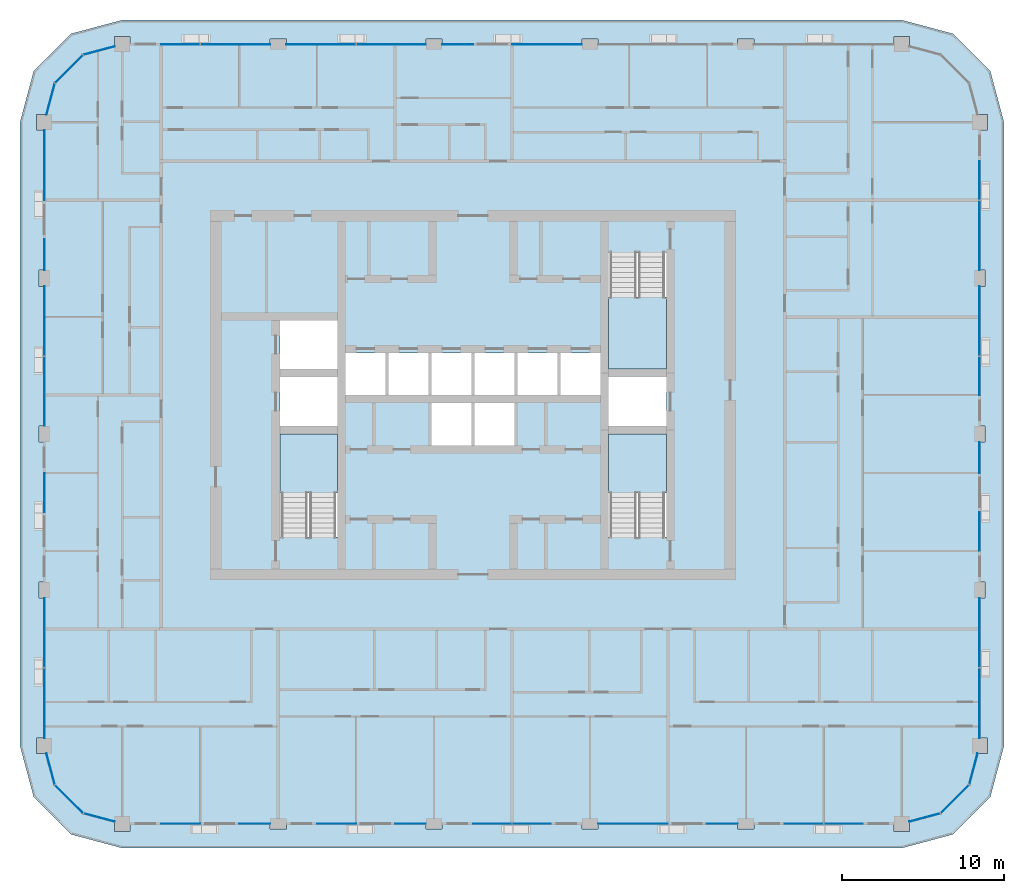
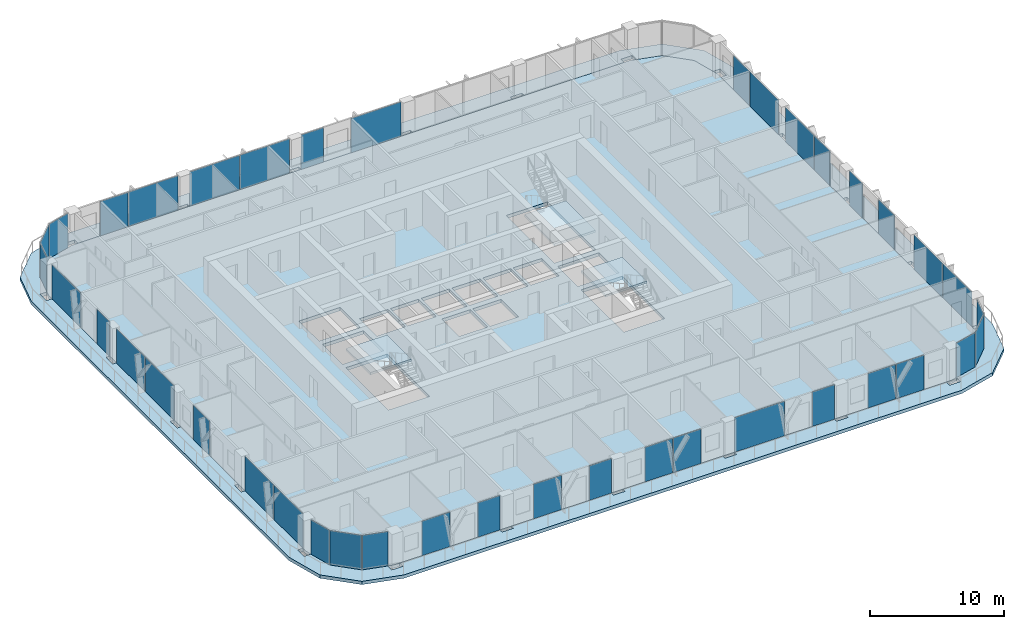
# One storey, part 7 of 22: 40 plates, 5 slabs, 22 elements without a shape of their own.
"""IFC4 building model written with IfcOpenShell, lengths in metres."""

from ifc_helpers import new_model, si_unit, direction, frame, origin, origin_2d, place, context, subcontext, project, spatial, polyline, rectangle, outline, extrude, material, layer, layer_set, type_object, element, aggregate, save


model = new_model("IFC4")

# Units and contexts
model_context = context("Model", 3, precision=1e-05, world=origin(), true_north=direction((0.0, 1.0)))
body_context = subcontext(model_context, "Body", "Model", "MODEL_VIEW")
ifc_project = project(units=[si_unit("LENGTHUNIT", "METRE"), si_unit("AREAUNIT", "SQUARE_METRE"), si_unit("VOLUMEUNIT", "CUBIC_METRE"), si_unit("PLANEANGLEUNIT", "RADIAN"), si_unit("MASSUNIT", "GRAM", prefix="KILO")], contexts=[model_context])

# Site, building, storey
site_placement = place(None, origin())
site = spatial("IfcSite", under=ifc_project, at=site_placement, CompositionType="ELEMENT")
building_placement = place(site_placement, origin())
building = spatial("IfcBuilding", under=site, at=building_placement, Name="Madar Terraces", CompositionType="ELEMENT")
storey_placement = place(building_placement, frame((0.0, 0.0, 178.89990234375)))
storey = spatial("IfcBuildingStorey", under=building, at=storey_placement, Name="L46", CompositionType="ELEMENT", Elevation=178.89990234375)

# Slabs
ifc_material_1 = material(Name="Concrete C50/60", Category="concrete")
ifc_layer_1 = layer(ifc_material_1, 0.300048828125)
ifc_layer_set_1 = layer_set([ifc_layer_1], Name="Balcony band 300")
slab_type_1 = type_object("IfcSlabType", Name="Balcony band 300", PredefinedType="FLOOR", material=ifc_layer_set_1)
slab_1_placement = place(storey_placement, frame((0.0, 0.0, -0.2998046875)))
element("IfcSlab", 1, at=slab_1_placement, inside=storey, type_object=slab_type_1, Name="Balcony band", PredefinedType="FLOOR", context=body_context, shape_type="SweptSolid", body=[
    extrude(outline(polyline([(9.60009765625, -1.5), (6.449951171875, -0.656005859375), (4.14404296875, 1.64990234375), (3.300048828125, 4.800048828125), (3.300048828125, 43.199951171875), (4.14404296875, 46.35009765625), (6.449951171875, 48.656005859375), (9.60009765625, 49.5), (57.60009765625, 49.5), (60.75, 48.656005859375), (63.055908203125, 46.35009765625), (63.89990234375, 43.199951171875), (63.89990234375, 4.800048828125), (63.055908203125, 1.64990234375), (60.75, -0.656005859375), (57.60009765625, -1.5), (9.60009765625, -1.5)]), holes=[polyline([(10.074951171875, -0.47509765625), (10.074951171875, 0.0), (18.699951171875, 0.0), (18.699951171875, -0.324951171875), (19.699951171875, -0.324951171875), (19.699951171875, 0.0), (28.300048828125, 0.0), (28.300048828125, -0.324951171875), (29.300048828125, -0.324951171875), (29.300048828125, 0.0), (37.89990234375, 0.0), (37.89990234375, -0.324951171875), (38.89990234375, -0.324951171875), (38.89990234375, 0.0), (47.5, 0.0), (47.5, -0.324951171875), (48.5, -0.324951171875), (48.5, 0.0), (57.125, 0.0), (57.125, -0.47509765625), (58.074951171875, -0.47509765625), (58.074951171875, 0.127197265625), (60.0, 0.64306640625), (61.7568359375, 2.39990234375), (62.272705078125, 4.324951171875), (62.875, 4.324951171875), (62.875, 5.27490234375), (62.39990234375, 5.27490234375), (62.39990234375, 13.89990234375), (62.72509765625, 13.89990234375), (62.72509765625, 14.89990234375), (62.39990234375, 14.89990234375), (62.39990234375, 23.5), (62.72509765625, 23.5), (62.72509765625, 24.5), (62.39990234375, 24.5), (62.39990234375, 33.10009765625), (62.72509765625, 33.10009765625), (62.72509765625, 34.10009765625), (62.39990234375, 34.10009765625), (62.39990234375, 42.72509765625), (62.875, 42.72509765625), (62.875, 43.675048828125), (62.272705078125, 43.675048828125), (61.7568359375, 45.60009765625), (60.0, 47.35693359375), (58.074951171875, 47.872802734375), (58.074951171875, 48.47509765625), (57.125, 48.47509765625), (57.125, 48.0), (48.5, 48.0), (48.5, 48.324951171875), (47.5, 48.324951171875), (47.5, 48.0), (38.89990234375, 48.0), (38.89990234375, 48.324951171875), (37.89990234375, 48.324951171875), (37.89990234375, 48.0), (29.300048828125, 48.0), (29.300048828125, 48.324951171875), (28.300048828125, 48.324951171875), (28.300048828125, 48.0), (19.699951171875, 48.0), (19.699951171875, 48.324951171875), (18.699951171875, 48.324951171875), (18.699951171875, 48.0), (10.074951171875, 48.0), (10.074951171875, 48.47509765625), (9.125, 48.47509765625), (9.125, 47.872802734375), (7.199951171875, 47.35693359375), (5.443115234375, 45.60009765625), (4.92724609375, 43.675048828125), (4.324951171875, 43.675048828125), (4.324951171875, 42.72509765625), (4.800048828125, 42.72509765625), (4.800048828125, 34.10009765625), (4.47509765625, 34.10009765625), (4.47509765625, 33.10009765625), (4.800048828125, 33.10009765625), (4.800048828125, 24.5), (4.47509765625, 24.5), (4.47509765625, 23.5), (4.800048828125, 23.5), (4.800048828125, 14.89990234375), (4.47509765625, 14.89990234375), (4.47509765625, 13.89990234375), (4.800048828125, 13.89990234375), (4.800048828125, 5.27490234375), (4.324951171875, 5.27490234375), (4.324951171875, 4.324951171875), (4.92724609375, 4.324951171875), (5.443115234375, 2.39990234375), (7.199951171875, 0.64306640625), (9.125, 0.127197265625), (9.125, -0.47509765625), (10.074951171875, -0.47509765625)])]), origin(), (0.0, 0.0, 1.0), 0.2998046875),
])
ifc_material_2 = material(Name="Concrete C50/60", Category="concrete")
ifc_layer_2 = layer(ifc_material_2, 0.300048828125)
ifc_layer_set_2 = layer_set([ifc_layer_2], Name="FS2 PT flat slab 300")
slab_type_2 = type_object("IfcSlabType", Name="FS2 PT flat slab 300", PredefinedType="FLOOR", material=ifc_layer_set_2)
slab_2_placement = place(storey_placement, frame((0.0, 0.0, -0.2998046875)))
element("IfcSlab", 2, at=slab_2_placement, inside=storey, type_object=slab_type_2, Name="Floor slab L46 (1)", PredefinedType="FLOOR", context=body_context, shape_type="SweptSolid", body=[
    extrude(outline(polyline([(57.60009765625, 0.0), (60.0, 0.64306640625), (61.7568359375, 2.39990234375), (62.39990234375, 4.800048828125), (62.39990234375, 43.199951171875), (61.7568359375, 45.60009765625), (60.0, 47.35693359375), (57.60009765625, 48.0), (9.60009765625, 48.0), (7.199951171875, 47.35693359375), (5.443115234375, 45.60009765625), (4.800048828125, 43.199951171875), (4.800048828125, 4.800048828125), (5.443115234375, 2.39990234375), (7.199951171875, 0.64306640625), (9.60009765625, 0.0), (57.60009765625, 0.0)]), holes=[polyline([(22.85009765625, 17.64990234375), (19.300048828125, 17.64990234375), (19.300048828125, 24.0), (22.85009765625, 24.0), (22.85009765625, 17.64990234375)]), polyline([(28.64990234375, 23.300048828125), (28.64990234375, 25.89990234375), (31.10009765625, 25.89990234375), (31.10009765625, 23.300048828125), (28.64990234375, 23.300048828125)]), polyline([(19.300048828125, 24.5), (19.300048828125, 27.5), (22.85009765625, 27.5), (22.85009765625, 24.5), (19.300048828125, 24.5)]), polyline([(23.35009765625, 26.39990234375), (23.35009765625, 29.0), (25.800048828125, 29.0), (25.800048828125, 26.39990234375), (23.35009765625, 26.39990234375)]), polyline([(26.0, 26.39990234375), (26.0, 29.0), (28.449951171875, 29.0), (28.449951171875, 26.39990234375), (26.0, 26.39990234375)]), polyline([(28.64990234375, 26.39990234375), (28.64990234375, 29.0), (31.10009765625, 29.0), (31.10009765625, 26.39990234375), (28.64990234375, 26.39990234375)]), polyline([(19.300048828125, 28.0), (19.300048828125, 31.0), (22.85009765625, 31.0), (22.85009765625, 28.0), (19.300048828125, 28.0)]), polyline([(43.10009765625, 17.64990234375), (39.550048828125, 17.64990234375), (39.550048828125, 24.0), (43.10009765625, 24.0), (43.10009765625, 17.64990234375)]), polyline([(31.300048828125, 23.300048828125), (31.300048828125, 25.89990234375), (33.75, 25.89990234375), (33.75, 23.300048828125), (31.300048828125, 23.300048828125)]), polyline([(39.550048828125, 24.5), (39.550048828125, 27.5), (43.10009765625, 27.5), (43.10009765625, 24.5), (39.550048828125, 24.5)]), polyline([(31.300048828125, 26.39990234375), (31.300048828125, 29.0), (33.75, 29.0), (33.75, 26.39990234375), (31.300048828125, 26.39990234375)]), polyline([(33.949951171875, 26.39990234375), (33.949951171875, 29.0), (36.39990234375, 29.0), (36.39990234375, 26.39990234375), (33.949951171875, 26.39990234375)]), polyline([(36.60009765625, 26.39990234375), (36.60009765625, 29.0), (39.050048828125, 29.0), (39.050048828125, 26.39990234375), (36.60009765625, 26.39990234375)]), polyline([(39.550048828125, 28.0), (39.550048828125, 35.14990234375), (43.10009765625, 35.14990234375), (43.10009765625, 28.0), (39.550048828125, 28.0)])]), origin(), (0.0, 0.0, 1.0), 0.2998046875),
])

# Curtain wall, plates
ifc_material_3 = material(Name="Glass, ceramic frit dark grey, with black aluminium frame", Category="aluminium")
ifc_layer_3 = layer(ifc_material_3, 0.199951171875)
ifc_layer_set_3 = layer_set([ifc_layer_3], Name="Facade curtain wall, fritted glass")
curtain_wall_type = type_object("IfcCurtainWallType", Name="Facade curtain wall, fritted glass", PredefinedType="NOTDEFINED", material=ifc_layer_set_3)
curtain_wall_1_placement = place(storey_placement, origin())
curtain_wall_1 = element("IfcCurtainWall", 3, at=curtain_wall_1_placement, inside=storey, type_object=curtain_wall_type, Name="Outer skin curtain wall south bay 1", PredefinedType="NOTDEFINED")
ifc_material_4 = material(Name="Glass, ceramic frit dark grey", Category="glass")
ifc_layer_4 = layer(ifc_material_4, 0.028076171875)
ifc_layer_set_4 = layer_set([ifc_layer_4], Name="Facade glass panel 28")
plate_type = type_object("IfcPlateType", Name="Facade glass panel 28", PredefinedType="CURTAIN_PANEL", material=ifc_layer_set_4)
plate_1_placement = place(storey_placement, frame((13.199951171875, 0.0, 0.0), z_axis=(0.0, 0.0, 1.0), x_axis=(1.0, 0.0, 0.0)))
plate_1 = element("IfcPlate", 4, at=plate_1_placement, type_object=plate_type, Name="Panel 1", PredefinedType="CURTAIN_PANEL", context=body_context, shape_type="SweptSolid", body=[
    extrude(rectangle(XDim=2.39990234375, YDim=0.028076171875, at=origin_2d()), origin(), (0.0, 0.0, 1.0), 3.139892578125),
])
plate_2_placement = place(storey_placement, frame((17.75, 0.0, 0.0), z_axis=(0.0, 0.0, 1.0), x_axis=(1.0, 0.0, 0.0)))
plate_2 = element("IfcPlate", 5, at=plate_2_placement, type_object=plate_type, Name="Panel 2", PredefinedType="CURTAIN_PANEL", context=body_context, shape_type="SweptSolid", body=[
    extrude(rectangle(XDim=1.89990234375, YDim=0.028076171875, at=origin_2d()), origin(), (0.0, 0.0, 1.0), 3.139892578125),
])
aggregate(curtain_wall_1, [plate_1, plate_2])

curtain_wall_2_placement = place(storey_placement, origin())
curtain_wall_2 = element("IfcCurtainWall", 6, at=curtain_wall_2_placement, inside=storey, type_object=curtain_wall_type, Name="Outer skin curtain wall south bay 2", PredefinedType="NOTDEFINED")
plate_3_placement = place(storey_placement, frame((22.800048828125, 0.0, 0.0), z_axis=(0.0, 0.0, 1.0), x_axis=(1.0, 0.0, 0.0)))
plate_3 = element("IfcPlate", 7, at=plate_3_placement, type_object=plate_type, Name="Panel 1", PredefinedType="CURTAIN_PANEL", context=body_context, shape_type="SweptSolid", body=[
    extrude(rectangle(XDim=2.39990234375, YDim=0.028076171875, at=origin_2d()), origin(), (0.0, 0.0, 1.0), 3.139892578125),
])
plate_4_placement = place(storey_placement, frame((27.35009765625, 0.0, 0.0), z_axis=(0.0, 0.0, 1.0), x_axis=(1.0, 0.0, 0.0)))
plate_4 = element("IfcPlate", 8, at=plate_4_placement, type_object=plate_type, Name="Panel 2", PredefinedType="CURTAIN_PANEL", context=body_context, shape_type="SweptSolid", body=[
    extrude(rectangle(XDim=1.89990234375, YDim=0.028076171875, at=origin_2d()), origin(), (0.0, 0.0, 1.0), 3.139892578125),
])
aggregate(curtain_wall_2, [plate_3, plate_4])

curtain_wall_3_placement = place(storey_placement, origin())
curtain_wall_3 = element("IfcCurtainWall", 9, at=curtain_wall_3_placement, inside=storey, type_object=curtain_wall_type, Name="Outer skin curtain wall south bay 3", PredefinedType="NOTDEFINED")
plate_5_placement = place(storey_placement, frame((32.385009765625, 0.0, 0.0), z_axis=(0.0, 0.0, 1.0), x_axis=(1.0, 0.0, 0.0)))
plate_5 = element("IfcPlate", 10, at=plate_5_placement, type_object=plate_type, Name="Panel 1", PredefinedType="CURTAIN_PANEL", context=body_context, shape_type="SweptSolid", body=[
    extrude(rectangle(XDim=2.3701171875, YDim=0.028076171875, at=origin_2d()), origin(), (0.0, 0.0, 1.0), 3.139892578125),
])
plate_6_placement = place(storey_placement, frame((34.81494140625, 0.0, 0.0), z_axis=(0.0, 0.0, 1.0), x_axis=(1.0, 0.0, 0.0)))
plate_6 = element("IfcPlate", 11, at=plate_6_placement, type_object=plate_type, Name="Panel 2", PredefinedType="CURTAIN_PANEL", context=body_context, shape_type="SweptSolid", body=[
    extrude(rectangle(XDim=2.3701171875, YDim=0.028076171875, at=origin_2d()), origin(), (0.0, 0.0, 1.0), 3.139892578125),
])
aggregate(curtain_wall_3, [plate_5, plate_6])

curtain_wall_4_placement = place(storey_placement, origin())
curtain_wall_4 = element("IfcCurtainWall", 12, at=curtain_wall_4_placement, inside=storey, type_object=curtain_wall_type, Name="Outer skin curtain wall south bay 4", PredefinedType="NOTDEFINED")
plate_7_placement = place(storey_placement, frame((41.050048828125, 0.0, 0.0), z_axis=(0.0, 0.0, 1.0), x_axis=(1.0, 0.0, 0.0)))
plate_7 = element("IfcPlate", 13, at=plate_7_placement, type_object=plate_type, Name="Panel 1", PredefinedType="CURTAIN_PANEL", context=body_context, shape_type="SweptSolid", body=[
    extrude(rectangle(XDim=4.300048828125, YDim=0.028076171875, at=origin_2d()), origin(), (0.0, 0.0, 1.0), 3.139892578125),
])
plate_8_placement = place(storey_placement, frame((46.550048828125, 0.0, 0.0), z_axis=(0.0, 0.0, 1.0), x_axis=(1.0, 0.0, 0.0)))
plate_8 = element("IfcPlate", 14, at=plate_8_placement, type_object=plate_type, Name="Panel 2", PredefinedType="CURTAIN_PANEL", context=body_context, shape_type="SweptSolid", body=[
    extrude(rectangle(XDim=1.89990234375, YDim=0.028076171875, at=origin_2d()), origin(), (0.0, 0.0, 1.0), 3.139892578125),
])
aggregate(curtain_wall_4, [plate_7, plate_8])

curtain_wall_5_placement = place(storey_placement, origin())
curtain_wall_5 = element("IfcCurtainWall", 15, at=curtain_wall_5_placement, inside=storey, type_object=curtain_wall_type, Name="Outer skin curtain wall south bay 5", PredefinedType="NOTDEFINED")
plate_9_placement = place(storey_placement, frame((51.5849609375, 0.0, 0.0), z_axis=(0.0, 0.0, 1.0), x_axis=(1.0, 0.0, 0.0)))
plate_9 = element("IfcPlate", 16, at=plate_9_placement, type_object=plate_type, Name="Panel 1", PredefinedType="CURTAIN_PANEL", context=body_context, shape_type="SweptSolid", body=[
    extrude(rectangle(XDim=2.3701171875, YDim=0.028076171875, at=origin_2d()), origin(), (0.0, 0.0, 1.0), 3.139892578125),
])
plate_10_placement = place(storey_placement, frame((54.014892578125, 0.0, 0.0), z_axis=(0.0, 0.0, 1.0), x_axis=(1.0, 0.0, 0.0)))
plate_10 = element("IfcPlate", 17, at=plate_10_placement, type_object=plate_type, Name="Panel 2", PredefinedType="CURTAIN_PANEL", context=body_context, shape_type="SweptSolid", body=[
    extrude(rectangle(XDim=2.3701171875, YDim=0.028076171875, at=origin_2d()), origin(), (0.0, 0.0, 1.0), 3.139892578125),
])
aggregate(curtain_wall_5, [plate_9, plate_10])

curtain_wall_6_placement = place(storey_placement, origin())
curtain_wall_6 = element("IfcCurtainWall", 18, at=curtain_wall_6_placement, inside=storey, type_object=curtain_wall_type, Name="Outer skin curtain wall east bay 1", PredefinedType="NOTDEFINED")
plate_11_placement = place(storey_placement, frame((62.39990234375, 7.422607421875, 0.0), z_axis=(0.0, 0.0, 1.0), x_axis=(0.0, 1.0, 0.0)))
plate_11 = element("IfcPlate", 19, at=plate_11_placement, type_object=plate_type, Name="Panel 1", PredefinedType="CURTAIN_PANEL", context=body_context, shape_type="SweptSolid", body=[
    extrude(rectangle(XDim=4.294921875, YDim=0.028076171875, at=origin_2d()), origin(), (0.0, 0.0, 1.0), 3.139892578125),
])
plate_12_placement = place(storey_placement, frame((62.39990234375, 11.764892578125, 0.0), z_axis=(0.0, 0.0, 1.0), x_axis=(0.0, 1.0, 0.0)))
plate_12 = element("IfcPlate", 20, at=plate_12_placement, type_object=plate_type, Name="Panel 2", PredefinedType="CURTAIN_PANEL", context=body_context, shape_type="SweptSolid", body=[
    extrude(rectangle(XDim=4.27001953125, YDim=0.028076171875, at=origin_2d()), origin(), (0.0, 0.0, 1.0), 3.139892578125),
])
aggregate(curtain_wall_6, [plate_11, plate_12])

curtain_wall_7_placement = place(storey_placement, origin())
curtain_wall_7 = element("IfcCurtainWall", 21, at=curtain_wall_7_placement, inside=storey, type_object=curtain_wall_type, Name="Outer skin curtain wall east bay 2", PredefinedType="NOTDEFINED")
plate_13_placement = place(storey_placement, frame((62.39990234375, 18.0, 0.0), z_axis=(0.0, 0.0, 1.0), x_axis=(0.0, 1.0, 0.0)))
plate_13 = element("IfcPlate", 22, at=plate_13_placement, type_object=plate_type, Name="Panel 1", PredefinedType="CURTAIN_PANEL", context=body_context, shape_type="SweptSolid", body=[
    extrude(rectangle(XDim=2.39990234375, YDim=0.028076171875, at=origin_2d()), origin(), (0.0, 0.0, 1.0), 3.139892578125),
])
plate_14_placement = place(storey_placement, frame((62.39990234375, 22.550048828125, 0.0), z_axis=(0.0, 0.0, 1.0), x_axis=(0.0, 1.0, 0.0)))
plate_14 = element("IfcPlate", 23, at=plate_14_placement, type_object=plate_type, Name="Panel 2", PredefinedType="CURTAIN_PANEL", context=body_context, shape_type="SweptSolid", body=[
    extrude(rectangle(XDim=1.89990234375, YDim=0.028076171875, at=origin_2d()), origin(), (0.0, 0.0, 1.0), 3.139892578125),
])
aggregate(curtain_wall_7, [plate_13, plate_14])

curtain_wall_8_placement = place(storey_placement, origin())
curtain_wall_8 = element("IfcCurtainWall", 24, at=curtain_wall_8_placement, inside=storey, type_object=curtain_wall_type, Name="Outer skin curtain wall east bay 3", PredefinedType="NOTDEFINED")
plate_15_placement = place(storey_placement, frame((62.39990234375, 27.5849609375, 0.0), z_axis=(0.0, 0.0, 1.0), x_axis=(0.0, 1.0, 0.0)))
plate_15 = element("IfcPlate", 25, at=plate_15_placement, type_object=plate_type, Name="Panel 1", PredefinedType="CURTAIN_PANEL", context=body_context, shape_type="SweptSolid", body=[
    extrude(rectangle(XDim=2.3701171875, YDim=0.028076171875, at=origin_2d()), origin(), (0.0, 0.0, 1.0), 3.139892578125),
])
plate_16_placement = place(storey_placement, frame((62.39990234375, 30.965087890625, 0.0), z_axis=(0.0, 0.0, 1.0), x_axis=(0.0, 1.0, 0.0)))
plate_16 = element("IfcPlate", 26, at=plate_16_placement, type_object=plate_type, Name="Panel 2", PredefinedType="CURTAIN_PANEL", context=body_context, shape_type="SweptSolid", body=[
    extrude(rectangle(XDim=4.27001953125, YDim=0.028076171875, at=origin_2d()), origin(), (0.0, 0.0, 1.0), 3.139892578125),
])
aggregate(curtain_wall_8, [plate_15, plate_16])

curtain_wall_9_placement = place(storey_placement, origin())
curtain_wall_9 = element("IfcCurtainWall", 27, at=curtain_wall_9_placement, inside=storey, type_object=curtain_wall_type, Name="Outer skin curtain wall east bay 4", PredefinedType="NOTDEFINED")
plate_17_placement = place(storey_placement, frame((62.39990234375, 36.235107421875, 0.0), z_axis=(0.0, 0.0, 1.0), x_axis=(0.0, 1.0, 0.0)))
plate_17 = element("IfcPlate", 28, at=plate_17_placement, type_object=plate_type, Name="Panel 1", PredefinedType="CURTAIN_PANEL", context=body_context, shape_type="SweptSolid", body=[
    extrude(rectangle(XDim=4.27001953125, YDim=0.028076171875, at=origin_2d()), origin(), (0.0, 0.0, 1.0), 3.139892578125),
])
plate_18_placement = place(storey_placement, frame((62.39990234375, 39.614990234375, 0.0), z_axis=(0.0, 0.0, 1.0), x_axis=(0.0, 1.0, 0.0)))
plate_18 = element("IfcPlate", 29, at=plate_18_placement, type_object=plate_type, Name="Panel 2", PredefinedType="CURTAIN_PANEL", context=body_context, shape_type="SweptSolid", body=[
    extrude(rectangle(XDim=2.3701171875, YDim=0.028076171875, at=origin_2d()), origin(), (0.0, 0.0, 1.0), 3.139892578125),
])
aggregate(curtain_wall_9, [plate_17, plate_18])

curtain_wall_10_placement = place(storey_placement, origin())
curtain_wall_10 = element("IfcCurtainWall", 30, at=curtain_wall_10_placement, inside=storey, type_object=curtain_wall_type, Name="Outer skin curtain wall north bay 3", PredefinedType="NOTDEFINED")
plate_19_placement = place(storey_placement, frame((35.75, 48.0, 0.0), z_axis=(0.0, 0.0, 1.0), x_axis=(-1.0, 0.0, 0.0)))
plate_19 = element("IfcPlate", 31, at=plate_19_placement, type_object=plate_type, Name="Panel 1", PredefinedType="CURTAIN_PANEL", context=body_context, shape_type="SweptSolid", body=[
    extrude(rectangle(XDim=4.300048828125, YDim=0.028076171875, at=origin_2d()), origin(), (0.0, 0.0, 1.0), 3.139892578125),
])
plate_20_placement = place(storey_placement, frame((30.25, 48.0, 0.0), z_axis=(0.0, 0.0, 1.0), x_axis=(-1.0, 0.0, 0.0)))
plate_20 = element("IfcPlate", 32, at=plate_20_placement, type_object=plate_type, Name="Panel 2", PredefinedType="CURTAIN_PANEL", context=body_context, shape_type="SweptSolid", body=[
    extrude(rectangle(XDim=1.89990234375, YDim=0.028076171875, at=origin_2d()), origin(), (0.0, 0.0, 1.0), 3.139892578125),
])
aggregate(curtain_wall_10, [plate_19, plate_20])

curtain_wall_11_placement = place(storey_placement, origin())
curtain_wall_11 = element("IfcCurtainWall", 33, at=curtain_wall_11_placement, inside=storey, type_object=curtain_wall_type, Name="Outer skin curtain wall north bay 4", PredefinedType="NOTDEFINED")
plate_21_placement = place(storey_placement, frame((26.1650390625, 48.0, 0.0), z_axis=(0.0, 0.0, 1.0), x_axis=(-1.0, 0.0, 0.0)))
plate_21 = element("IfcPlate", 34, at=plate_21_placement, type_object=plate_type, Name="Panel 1", PredefinedType="CURTAIN_PANEL", context=body_context, shape_type="SweptSolid", body=[
    extrude(rectangle(XDim=4.27001953125, YDim=0.028076171875, at=origin_2d()), origin(), (0.0, 0.0, 1.0), 3.139892578125),
])
plate_22_placement = place(storey_placement, frame((21.8349609375, 48.0, 0.0), z_axis=(0.0, 0.0, 1.0), x_axis=(-1.0, 0.0, 0.0)))
plate_22 = element("IfcPlate", 35, at=plate_22_placement, type_object=plate_type, Name="Panel 2", PredefinedType="CURTAIN_PANEL", context=body_context, shape_type="SweptSolid", body=[
    extrude(rectangle(XDim=4.27001953125, YDim=0.028076171875, at=origin_2d()), origin(), (0.0, 0.0, 1.0), 3.139892578125),
])
aggregate(curtain_wall_11, [plate_21, plate_22])

curtain_wall_12_placement = place(storey_placement, origin())
curtain_wall_12 = element("IfcCurtainWall", 36, at=curtain_wall_12_placement, inside=storey, type_object=curtain_wall_type, Name="Outer skin curtain wall north bay 5", PredefinedType="NOTDEFINED")
plate_23_placement = place(storey_placement, frame((16.56494140625, 48.0, 0.0), z_axis=(0.0, 0.0, 1.0), x_axis=(-1.0, 0.0, 0.0)))
plate_23 = element("IfcPlate", 37, at=plate_23_placement, type_object=plate_type, Name="Panel 1", PredefinedType="CURTAIN_PANEL", context=body_context, shape_type="SweptSolid", body=[
    extrude(rectangle(XDim=4.27001953125, YDim=0.028076171875, at=origin_2d()), origin(), (0.0, 0.0, 1.0), 3.139892578125),
])
plate_24_placement = place(storey_placement, frame((13.18505859375, 48.0, 0.0), z_axis=(0.0, 0.0, 1.0), x_axis=(-1.0, 0.0, 0.0)))
plate_24 = element("IfcPlate", 38, at=plate_24_placement, type_object=plate_type, Name="Panel 2", PredefinedType="CURTAIN_PANEL", context=body_context, shape_type="SweptSolid", body=[
    extrude(rectangle(XDim=2.3701171875, YDim=0.028076171875, at=origin_2d()), origin(), (0.0, 0.0, 1.0), 3.139892578125),
])
aggregate(curtain_wall_12, [plate_23, plate_24])

curtain_wall_13_placement = place(storey_placement, origin())
curtain_wall_13 = element("IfcCurtainWall", 39, at=curtain_wall_13_placement, inside=storey, type_object=curtain_wall_type, Name="Outer skin curtain wall west bay 1", PredefinedType="NOTDEFINED")
plate_25_placement = place(storey_placement, frame((4.800048828125, 40.5625, 0.0), z_axis=(0.0, 0.0, 1.0), x_axis=(0.0, -1.0, 0.0)))
plate_25 = element("IfcPlate", 40, at=plate_25_placement, type_object=plate_type, Name="Panel 1", PredefinedType="CURTAIN_PANEL", context=body_context, shape_type="SweptSolid", body=[
    extrude(rectangle(XDim=4.324951171875, YDim=0.028076171875, at=origin_2d()), origin(), (0.0, 0.0, 1.0), 3.139892578125),
])
plate_26_placement = place(storey_placement, frame((4.800048828125, 35.050048828125, 0.0), z_axis=(0.0, 0.0, 1.0), x_axis=(0.0, -1.0, 0.0)))
plate_26 = element("IfcPlate", 41, at=plate_26_placement, type_object=plate_type, Name="Panel 2", PredefinedType="CURTAIN_PANEL", context=body_context, shape_type="SweptSolid", body=[
    extrude(rectangle(XDim=1.89990234375, YDim=0.028076171875, at=origin_2d()), origin(), (0.0, 0.0, 1.0), 3.139892578125),
])
aggregate(curtain_wall_13, [plate_25, plate_26])

curtain_wall_14_placement = place(storey_placement, origin())
curtain_wall_14 = element("IfcCurtainWall", 42, at=curtain_wall_14_placement, inside=storey, type_object=curtain_wall_type, Name="Outer skin curtain wall west bay 2", PredefinedType="NOTDEFINED")
plate_27_placement = place(storey_placement, frame((4.800048828125, 30.965087890625, 0.0), z_axis=(0.0, 0.0, 1.0), x_axis=(0.0, -1.0, 0.0)))
plate_27 = element("IfcPlate", 43, at=plate_27_placement, type_object=plate_type, Name="Panel 1", PredefinedType="CURTAIN_PANEL", context=body_context, shape_type="SweptSolid", body=[
    extrude(rectangle(XDim=4.27001953125, YDim=0.028076171875, at=origin_2d()), origin(), (0.0, 0.0, 1.0), 3.139892578125),
])
plate_28_placement = place(storey_placement, frame((4.800048828125, 26.635009765625, 0.0), z_axis=(0.0, 0.0, 1.0), x_axis=(0.0, -1.0, 0.0)))
plate_28 = element("IfcPlate", 44, at=plate_28_placement, type_object=plate_type, Name="Panel 2", PredefinedType="CURTAIN_PANEL", context=body_context, shape_type="SweptSolid", body=[
    extrude(rectangle(XDim=4.27001953125, YDim=0.028076171875, at=origin_2d()), origin(), (0.0, 0.0, 1.0), 3.139892578125),
])
aggregate(curtain_wall_14, [plate_27, plate_28])

# Curtain wall, plate
curtain_wall_15_placement = place(storey_placement, origin())
curtain_wall_15 = element("IfcCurtainWall", 45, at=curtain_wall_15_placement, inside=storey, type_object=curtain_wall_type, Name="Outer skin curtain wall west bay 3", PredefinedType="NOTDEFINED")
plate_29_placement = place(storey_placement, frame((4.800048828125, 20.39990234375, 0.0), z_axis=(0.0, 0.0, 1.0), x_axis=(0.0, -1.0, 0.0)))
plate_29 = element("IfcPlate", 46, at=plate_29_placement, type_object=plate_type, Name="Panel 1", PredefinedType="CURTAIN_PANEL", context=body_context, shape_type="SweptSolid", body=[
    extrude(rectangle(XDim=2.39990234375, YDim=0.028076171875, at=origin_2d()), origin(), (0.0, 0.0, 1.0), 3.139892578125),
])
aggregate(curtain_wall_15, [plate_29])

# Curtain wall, plates
curtain_wall_16_placement = place(storey_placement, origin())
curtain_wall_16 = element("IfcCurtainWall", 47, at=curtain_wall_16_placement, inside=storey, type_object=curtain_wall_type, Name="Outer skin curtain wall west bay 4", PredefinedType="NOTDEFINED")
plate_30_placement = place(storey_placement, frame((4.800048828125, 11.764892578125, 0.0), z_axis=(0.0, 0.0, 1.0), x_axis=(0.0, -1.0, 0.0)))
plate_30 = element("IfcPlate", 48, at=plate_30_placement, type_object=plate_type, Name="Panel 1", PredefinedType="CURTAIN_PANEL", context=body_context, shape_type="SweptSolid", body=[
    extrude(rectangle(XDim=4.27001953125, YDim=0.028076171875, at=origin_2d()), origin(), (0.0, 0.0, 1.0), 3.139892578125),
])
plate_31_placement = place(storey_placement, frame((4.800048828125, 7.422607421875, 0.0), z_axis=(0.0, 0.0, 1.0), x_axis=(0.0, -1.0, 0.0)))
plate_31 = element("IfcPlate", 49, at=plate_31_placement, type_object=plate_type, Name="Panel 2", PredefinedType="CURTAIN_PANEL", context=body_context, shape_type="SweptSolid", body=[
    extrude(rectangle(XDim=4.294921875, YDim=0.028076171875, at=origin_2d()), origin(), (0.0, 0.0, 1.0), 3.139892578125),
])
aggregate(curtain_wall_16, [plate_30, plate_31])

curtain_wall_17_placement = place(storey_placement, origin())
curtain_wall_17 = element("IfcCurtainWall", 50, at=curtain_wall_17_placement, inside=storey, type_object=curtain_wall_type, Name="Outer skin curtain wall south-east corner", PredefinedType="NOTDEFINED")
plate_32_placement = place(storey_placement, frame((59.02294921875, 0.38134765625, 0.0), z_axis=(0.0, 0.0, 1.0), x_axis=(0.965925832509, 0.258819021888, 0.0)))
plate_32 = element("IfcPlate", 51, at=plate_32_placement, type_object=plate_type, Name="Panel 1", PredefinedType="CURTAIN_PANEL", context=body_context, shape_type="SweptSolid", body=[
    extrude(rectangle(XDim=1.962890625, YDim=0.028076171875, at=origin_2d()), origin(), (0.0, 0.0, 1.0), 3.139892578125),
])
plate_33_placement = place(storey_placement, frame((60.87841796875, 1.521484375, 0.0), z_axis=(0.0, 0.0, 1.0), x_axis=(0.707106781187, 0.707106781187, 0.0)))
plate_33 = element("IfcPlate", 52, at=plate_33_placement, type_object=plate_type, Name="Panel 2", PredefinedType="CURTAIN_PANEL", context=body_context, shape_type="SweptSolid", body=[
    extrude(rectangle(XDim=2.424560546875, YDim=0.028076171875, at=origin_2d()), origin(), (0.0, 0.0, 1.0), 3.139892578125),
])
plate_34_placement = place(storey_placement, frame((62.018798828125, 3.376953125, 0.0), z_axis=(0.0, 0.0, 1.0), x_axis=(0.258819021888, 0.965925832509, 0.0)))
plate_34 = element("IfcPlate", 53, at=plate_34_placement, type_object=plate_type, Name="Panel 3", PredefinedType="CURTAIN_PANEL", context=body_context, shape_type="SweptSolid", body=[
    extrude(rectangle(XDim=1.962890625, YDim=0.028076171875, at=origin_2d()), origin(), (0.0, 0.0, 1.0), 3.139892578125),
])
aggregate(curtain_wall_17, [plate_32, plate_33, plate_34])

curtain_wall_18_placement = place(storey_placement, origin())
curtain_wall_18 = element("IfcCurtainWall", 54, at=curtain_wall_18_placement, inside=storey, type_object=curtain_wall_type, Name="Outer skin curtain wall north-west corner", PredefinedType="NOTDEFINED")
plate_35_placement = place(storey_placement, frame((8.177001953125, 47.61865234375, 0.0), z_axis=(0.0, 0.0, 1.0), x_axis=(-0.965925832509, -0.258819021888, 0.0)))
plate_35 = element("IfcPlate", 55, at=plate_35_placement, type_object=plate_type, Name="Panel 1", PredefinedType="CURTAIN_PANEL", context=body_context, shape_type="SweptSolid", body=[
    extrude(rectangle(XDim=1.962890625, YDim=0.028076171875, at=origin_2d()), origin(), (0.0, 0.0, 1.0), 3.139892578125),
])
plate_36_placement = place(storey_placement, frame((6.321533203125, 46.478515625, 0.0), z_axis=(0.0, 0.0, 1.0), x_axis=(-0.707106781187, -0.707106781187, 0.0)))
plate_36 = element("IfcPlate", 56, at=plate_36_placement, type_object=plate_type, Name="Panel 2", PredefinedType="CURTAIN_PANEL", context=body_context, shape_type="SweptSolid", body=[
    extrude(rectangle(XDim=2.424560546875, YDim=0.028076171875, at=origin_2d()), origin(), (0.0, 0.0, 1.0), 3.139892578125),
])
plate_37_placement = place(storey_placement, frame((5.181396484375, 44.623046875, 0.0), z_axis=(0.0, 0.0, 1.0), x_axis=(-0.258819021888, -0.965925832509, 0.0)))
plate_37 = element("IfcPlate", 57, at=plate_37_placement, type_object=plate_type, Name="Panel 3", PredefinedType="CURTAIN_PANEL", context=body_context, shape_type="SweptSolid", body=[
    extrude(rectangle(XDim=1.962890625, YDim=0.028076171875, at=origin_2d()), origin(), (0.0, 0.0, 1.0), 3.139892578125),
])
aggregate(curtain_wall_18, [plate_35, plate_36, plate_37])

curtain_wall_19_placement = place(storey_placement, origin())
curtain_wall_19 = element("IfcCurtainWall", 58, at=curtain_wall_19_placement, inside=storey, type_object=curtain_wall_type, Name="Outer skin curtain wall south-west corner", PredefinedType="NOTDEFINED")
plate_38_placement = place(storey_placement, frame((5.181396484375, 3.376953125, 0.0), z_axis=(0.0, 0.0, 1.0), x_axis=(0.258819021888, -0.965925832509, 0.0)))
plate_38 = element("IfcPlate", 59, at=plate_38_placement, type_object=plate_type, Name="Panel 1", PredefinedType="CURTAIN_PANEL", context=body_context, shape_type="SweptSolid", body=[
    extrude(rectangle(XDim=1.962890625, YDim=0.028076171875, at=origin_2d()), origin(), (0.0, 0.0, 1.0), 3.139892578125),
])
plate_39_placement = place(storey_placement, frame((6.321533203125, 1.521484375, 0.0), z_axis=(0.0, 0.0, 1.0), x_axis=(0.707106781187, -0.707106781187, 0.0)))
plate_39 = element("IfcPlate", 60, at=plate_39_placement, type_object=plate_type, Name="Panel 2", PredefinedType="CURTAIN_PANEL", context=body_context, shape_type="SweptSolid", body=[
    extrude(rectangle(XDim=2.424560546875, YDim=0.028076171875, at=origin_2d()), origin(), (0.0, 0.0, 1.0), 3.139892578125),
])
plate_40_placement = place(storey_placement, frame((8.177001953125, 0.38134765625, 0.0), z_axis=(0.0, 0.0, 1.0), x_axis=(0.965925832509, -0.258819021888, 0.0)))
plate_40 = element("IfcPlate", 61, at=plate_40_placement, type_object=plate_type, Name="Panel 3", PredefinedType="CURTAIN_PANEL", context=body_context, shape_type="SweptSolid", body=[
    extrude(rectangle(XDim=1.962890625, YDim=0.028076171875, at=origin_2d()), origin(), (0.0, 0.0, 1.0), 3.139892578125),
])
aggregate(curtain_wall_19, [plate_38, plate_39, plate_40])

# Stair, slab
ifc_material_5 = material(Name="Concrete C50/60", Category="concrete")
stair_type_1 = type_object("IfcStairType", Name="Stair ST1 protected exit", PredefinedType="HALF_TURN_STAIR", material=ifc_material_5)
stair_1_placement = place(storey_placement, origin())
stair_1 = element("IfcStair", 62, at=stair_1_placement, inside=storey, type_object=stair_type_1, Name="L46 Protected Exit Stair ST1", PredefinedType="HALF_TURN_STAIR")
ifc_material_6 = material(Name="Concrete C50/60", Category="concrete")
ifc_layer_5 = layer(ifc_material_6, 0.199951171875)
ifc_layer_set_5 = layer_set([ifc_layer_5], Name="Stair landing 200, top +1.75")
slab_type_3 = type_object("IfcSlabType", Name="Stair landing 200, top +1.75", PredefinedType="LANDING", material=ifc_layer_set_5)
slab_3_placement = place(storey_placement, frame((0.0, 0.0, 1.550048828125)))
slab_3 = element("IfcSlab", 63, at=slab_3_placement, type_object=slab_type_3, Name="ST1 landing 1", PredefinedType="LANDING", context=body_context, shape_type="SweptSolid", body=[
    extrude(outline(polyline([(19.300048828125, 20.360107421875), (22.85009765625, 20.360107421875), (22.85009765625, 24.0), (19.300048828125, 24.0), (19.300048828125, 20.360107421875)])), origin(), (0.0, 0.0, 1.0), 0.199951171875),
])
aggregate(stair_1, [slab_3])

ifc_material_7 = material(Name="Concrete C50/60", Category="concrete")
stair_type_2 = type_object("IfcStairType", Name="Stair ST2 protected exit", PredefinedType="HALF_TURN_STAIR", material=ifc_material_7)
stair_2_placement = place(storey_placement, origin())
stair_2 = element("IfcStair", 64, at=stair_2_placement, inside=storey, type_object=stair_type_2, Name="L46 Protected Exit Stair ST2", PredefinedType="HALF_TURN_STAIR")
slab_4_placement = place(storey_placement, frame((0.0, 0.0, 1.550048828125)))
slab_4 = element("IfcSlab", 65, at=slab_4_placement, type_object=slab_type_3, Name="ST2 landing 1", PredefinedType="LANDING", context=body_context, shape_type="SweptSolid", body=[
    extrude(outline(polyline([(39.550048828125, 28.0), (43.10009765625, 28.0), (43.10009765625, 32.43994140625), (39.550048828125, 32.43994140625), (39.550048828125, 28.0)])), origin(), (0.0, 0.0, 1.0), 0.199951171875),
])
aggregate(stair_2, [slab_4])

ifc_material_8 = material(Name="Concrete C50/60", Category="concrete")
stair_type_3 = type_object("IfcStairType", Name="Stair ST3 protected exit", PredefinedType="HALF_TURN_STAIR", material=ifc_material_8)
stair_3_placement = place(storey_placement, origin())
stair_3 = element("IfcStair", 66, at=stair_3_placement, inside=storey, type_object=stair_type_3, Name="L46 Protected Exit Stair ST3", PredefinedType="HALF_TURN_STAIR")
slab_5_placement = place(storey_placement, frame((0.0, 0.0, 1.550048828125)))
slab_5 = element("IfcSlab", 67, at=slab_5_placement, type_object=slab_type_3, Name="ST3 landing 1", PredefinedType="LANDING", context=body_context, shape_type="SweptSolid", body=[
    extrude(outline(polyline([(39.550048828125, 20.360107421875), (43.10009765625, 20.360107421875), (43.10009765625, 24.0), (39.550048828125, 24.0), (39.550048828125, 20.360107421875)])), origin(), (0.0, 0.0, 1.0), 0.199951171875),
])
aggregate(stair_3, [slab_5])

save(model, "model.ifc")
